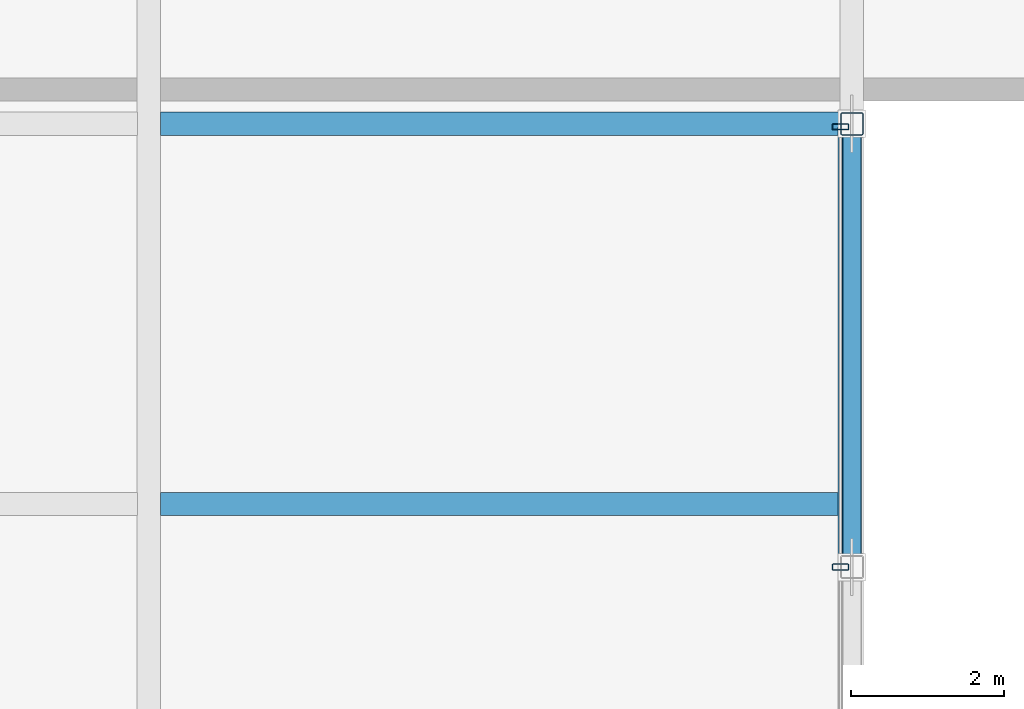
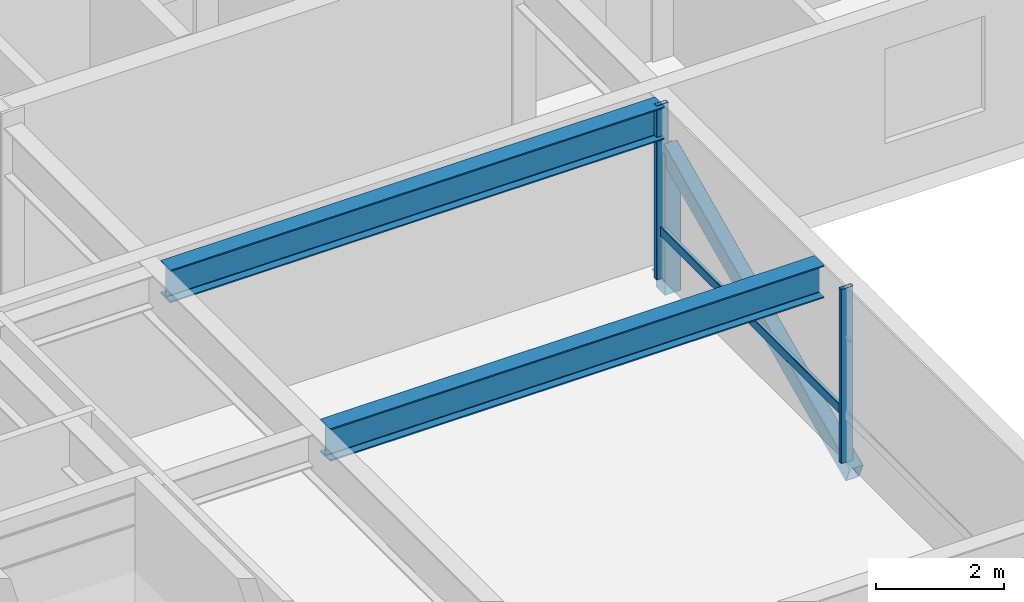
# One storey, part 12 of 36: 5 members, 2 beams, 1 element without a shape of its own.
"""IFC4 building model written with IfcOpenShell, lengths in metres."""

from ifc_helpers import new_model, si_unit, direction, frame, origin, origin_2d, place, context, subcontext, project, spatial, hollow_rectangle, i_section, extrude, material, layer, layer_set, material_profile, profile_set, type_object, element, aggregate, save


model = new_model("IFC4")

# Units and contexts
model_context = context("Model", 3, precision=1e-05, world=origin(), true_north=direction((0.0, 1.0)))
body_context = subcontext(model_context, "Body", "Model", "MODEL_VIEW")
ifc_project = project(units=[si_unit("LENGTHUNIT", "METRE"), si_unit("AREAUNIT", "SQUARE_METRE"), si_unit("VOLUMEUNIT", "CUBIC_METRE"), si_unit("PLANEANGLEUNIT", "RADIAN"), si_unit("MASSUNIT", "GRAM", prefix="KILO")], contexts=[model_context])

# Site, building, storey
site_placement = place(None, origin())
site = spatial("IfcSite", under=ifc_project, at=site_placement, CompositionType="ELEMENT")
building_placement = place(site_placement, origin())
building = spatial("IfcBuilding", under=site, at=building_placement, Name="Korimba Cascade Residences", CompositionType="ELEMENT")
storey_placement = place(building_placement, frame((0.0, 0.0, 139.300048828125)))
storey = spatial("IfcBuildingStorey", under=building, at=storey_placement, Name="L40", CompositionType="ELEMENT", Elevation=139.300048828125)

# Beams
ifc_material_1 = material(Name="Steel S355", Category="steel")
ifc_material_profile_1 = material_profile(ifc_material_1, i_section(OverallWidth=0.30712890625, OverallDepth=0.6201171875, WebThickness=0.01416015625, FlangeThickness=0.023681640625, FilletRadius=0.0166015625, at=origin_2d()), Name="Steel S355")
ifc_profile_set_1 = profile_set([ifc_material_profile_1], Name="Steel S355")
beam_type = type_object("IfcBeamType", Name="BM-STL-UB610A", PredefinedType="BEAM", material=ifc_profile_set_1)
for number, where, z_axis, x_axis, name in (
    (1, (103.052001953125, 45.52490234375, 2.999755859375), (1.0, 0.0, 0.0), (0.0, 1.0, 0.0), "L40 Mid-Bridge Cross Beam 45.5"),
    (2, (103.052001953125, 50.5, 2.999755859375), (1.0, 0.0, 0.0), (0.0, 1.0, 0.0), "L40 Mid-Bridge Cross Beam 50.5"),
):
    element("IfcBeam", number, at=place(storey_placement, frame(where, z_axis=z_axis, x_axis=x_axis)), inside=storey, type_object=beam_type, Name=name, PredefinedType="BEAM", context=body_context, shape_type="SweptSolid", body=[
        extrude(i_section(OverallWidth=0.30712890625, OverallDepth=0.6201171875, WebThickness=0.01416015625, FlangeThickness=0.023681640625, FilletRadius=0.0166015625, at=origin_2d()), origin(), (0.0, 0.0, 1.0), 8.89599609375),
    ])

# Curtain wall, members
ifc_material_2 = material(Name="Anodised Aluminium Curtain Wall Framing", Category="aluminium")
ifc_layer = layer(ifc_material_2, 0.179931640625)
ifc_layer_set = layer_set([ifc_layer], Name="Anodised Aluminium Curtain Wall Framing")
curtain_wall_type = type_object("IfcCurtainWallType", Name="CW-BRG-SYS3", PredefinedType="NOTDEFINED", material=ifc_layer_set)
curtain_wall_placement = place(storey_placement, origin())
curtain_wall = element("IfcCurtainWall", 3, at=curtain_wall_placement, inside=storey, type_object=curtain_wall_type, Name="L40 Curtain Wall CW-L40-BRG-E", PredefinedType="NOTDEFINED")
ifc_material_3 = material(Name="Anodised Aluminium Mullion", Category="aluminium")
ifc_material_profile_2 = material_profile(ifc_material_3, hollow_rectangle(XDim=0.080078125, YDim=0.219970703125, WallThickness=0.00634765625, InnerFilletRadius=0.00634765625, OuterFilletRadius=0.0126953125, at=origin_2d()), Name="Anodised Aluminium Mullion")
ifc_profile_set_2 = profile_set([ifc_material_profile_2], Name="Anodised Aluminium Mullion")
member_type_1 = type_object("IfcMemberType", Name="CWM-MUL-220", PredefinedType="MULLION", material=ifc_profile_set_2)
member_1_placement = place(storey_placement, frame((111.949951171875, 44.699951171875, 0.0), z_axis=(0.0, 0.0, 1.0), x_axis=(0.0, 1.0, 0.0)))
member_1 = element("IfcMember", 4, at=member_1_placement, type_object=member_type_1, Name="CW-L40-BRG-E Mullion 3", PredefinedType="MULLION", context=body_context, shape_type="SweptSolid", body=[
    extrude(hollow_rectangle(XDim=0.080078125, YDim=0.219970703125, WallThickness=0.00634765625, InnerFilletRadius=0.00634765625, OuterFilletRadius=0.0126953125, at=origin_2d()), origin(), (0.0, 0.0, 1.0), 3.31005859375),
])
member_2_placement = place(storey_placement, frame((111.949951171875, 50.4599609375, 0.0), z_axis=(0.0, 0.0, 1.0), x_axis=(0.0, 1.0, 0.0)))
member_2 = element("IfcMember", 5, at=member_2_placement, type_object=member_type_1, Name="CW-L40-BRG-E Mullion 4", PredefinedType="MULLION", context=body_context, shape_type="SweptSolid", body=[
    extrude(hollow_rectangle(XDim=0.080078125, YDim=0.219970703125, WallThickness=0.00634765625, InnerFilletRadius=0.00634765625, OuterFilletRadius=0.0126953125, at=origin_2d()), origin(), (0.0, 0.0, 1.0), 3.31005859375),
])
ifc_material_4 = material(Name="Anodised Aluminium Transom", Category="aluminium")
ifc_material_profile_3 = material_profile(ifc_material_4, hollow_rectangle(XDim=0.070068359375, YDim=0.179931640625, WallThickness=0.0048828125, InnerFilletRadius=0.0048828125, OuterFilletRadius=0.010009765625, at=origin_2d()), Name="Anodised Aluminium Transom")
ifc_profile_set_3 = profile_set([ifc_material_profile_3], Name="Anodised Aluminium Transom")
member_type_2 = type_object("IfcMemberType", Name="CWM-TRN-150", PredefinedType="USERDEFINED", material=ifc_profile_set_3)
member_3_placement = place(storey_placement, frame((111.949951171875, 44.699951171875, 0.89990234375), z_axis=(0.0, 1.0, 0.0), x_axis=(-1.0, 0.0, 0.0)))
member_3 = element("IfcMember", 6, at=member_3_placement, type_object=member_type_2, Name="CW-L40-BRG-E Transom 3", ObjectType="TRANSOM", PredefinedType="USERDEFINED", context=body_context, shape_type="SweptSolid", body=[
    extrude(hollow_rectangle(XDim=0.070068359375, YDim=0.179931640625, WallThickness=0.0048828125, InnerFilletRadius=0.0048828125, OuterFilletRadius=0.010009765625, at=origin_2d()), origin(), (0.0, 0.0, 1.0), 5.760009765625),
])
aggregate(curtain_wall, [member_1, member_2, member_3])

# Members
ifc_material_5 = material(Name="Steel S460", Category="steel")
ifc_material_profile_4 = material_profile(ifc_material_5, hollow_rectangle(XDim=0.25, YDim=0.35009765625, WallThickness=0.012451171875, InnerFilletRadius=0.012451171875, OuterFilletRadius=0.02490234375, at=origin_2d()), Name="Steel S460")
ifc_profile_set_4 = profile_set([ifc_material_profile_4], Name="Steel S460")
member_type_3 = type_object("IfcMemberType", Name="MEM-BRG-SHS350", PredefinedType="BRACE", material=ifc_profile_set_4)
member_4_placement = place(storey_placement, frame((112.10009765625, 44.699951171875, -0.2900390625), z_axis=(0.0, 0.9081740859, 0.418592677552), x_axis=(-1.0, 0.0, 0.0)))
element("IfcMember", 7, at=member_4_placement, inside=storey, type_object=member_type_3, Name="L40 Mid-Bridge Warren Diagonal E3", PredefinedType="BRACE", context=body_context, shape_type="SweptSolid", body=[
    extrude(hollow_rectangle(XDim=0.25, YDim=0.35009765625, WallThickness=0.012451171875, InnerFilletRadius=0.012451171875, OuterFilletRadius=0.02490234375, at=origin_2d()), origin(), (0.0, 0.0, 1.0), 6.386474609375),
])
ifc_material_profile_5 = material_profile(ifc_material_5, hollow_rectangle(XDim=0.300048828125, YDim=0.300048828125, WallThickness=0.012451171875, InnerFilletRadius=0.012451171875, OuterFilletRadius=0.02490234375, at=origin_2d()), Name="Steel S460")
ifc_profile_set_5 = profile_set([ifc_material_profile_5], Name="Steel S460")
member_type_4 = type_object("IfcMemberType", Name="MEM-BRG-STR300", PredefinedType="STRUT", material=ifc_profile_set_5)
member_5_placement = place(storey_placement, frame((112.10009765625, 50.5, -0.2900390625), z_axis=(0.0, 0.0, 1.0), x_axis=(1.0, 0.0, 0.0)))
element("IfcMember", 8, at=member_5_placement, inside=storey, type_object=member_type_4, Name="L40 Mid-Bridge Warren Web Post E4", PredefinedType="STRUT", context=body_context, shape_type="SweptSolid", body=[
    extrude(hollow_rectangle(XDim=0.300048828125, YDim=0.300048828125, WallThickness=0.012451171875, InnerFilletRadius=0.012451171875, OuterFilletRadius=0.02490234375, at=origin_2d()), origin(), (0.0, 0.0, 1.0), 2.67333984375),
])

save(model, "model.ifc")
